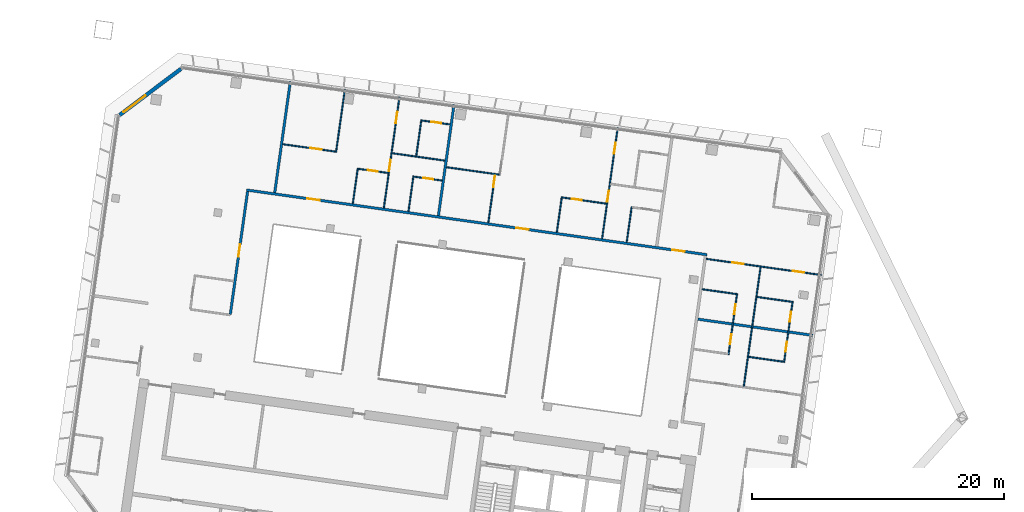
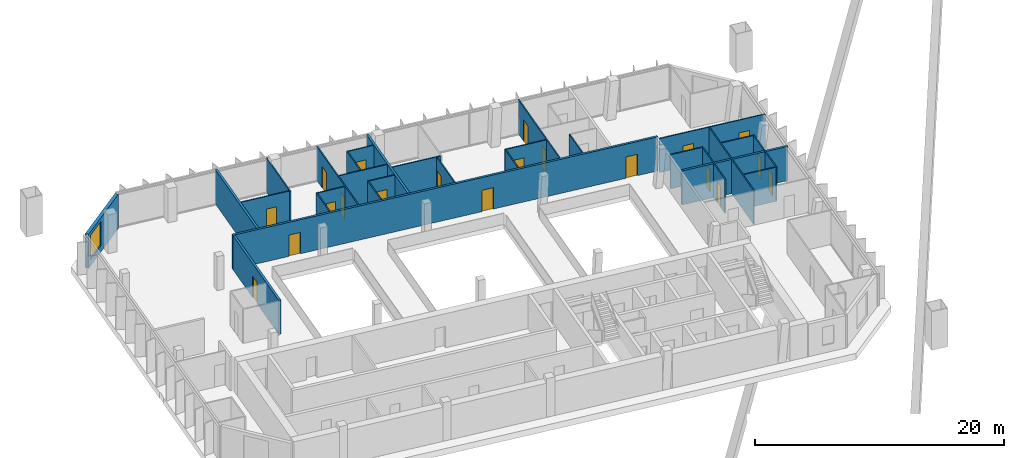
# One storey, part 18 of 26: 29 walls, 20 doors, 1 window, 21 openings.
"""IFC4 building model written with IfcOpenShell, lengths in metres."""

import ifcopenshell
import ifcopenshell.guid

model = None  # the IFC model being written
_history = None  # IfcOwnerHistory: only IFC2X3 demands one
_inside = {}  # id of a spatial element -> (the spatial element, [elements in it])
_under = {}  # id of a project, library or spatial element -> (it, [spatial elements below it])
_declared = {}  # id of a project -> (the project, [libraries it declares])
_typed = {}  # id of a type object -> (the type object, [elements of that type])
_made_of = {}  # id of a material, layer set ... -> (it, [elements and type objects made of it])


def new_model(schema):
    """Start an empty IFC model of exactly this schema.

    Asked for "IFC4X3", IfcOpenShell would pick the latest addendum, in which some entities
    have other attributes; the version numbers below select the first issue.
    IFC2X3 requires an IfcOwnerHistory on every rooted entity: one is made here for all.
    """
    global model, _history
    if schema == "IFC4X3":
        model = ifcopenshell.file(schema_version=(4, 3, 0, 0))
    else:
        model = ifcopenshell.file(schema=schema)
    _inside.clear()
    _under.clear()
    _declared.clear()
    _typed.clear()
    _made_of.clear()
    _history = None
    if model.schema == "IFC2X3":
        org = make("IfcOrganization", Name="unknown")
        user = make(
            "IfcPersonAndOrganization",
            ThePerson=make("IfcPerson", FamilyName="unknown"),
            TheOrganization=org,
        )
        app = make(
            "IfcApplication",
            ApplicationDeveloper=org,
            Version="unknown",
            ApplicationFullName="unknown",
            ApplicationIdentifier="unknown",
        )
        _history = make(
            "IfcOwnerHistory",
            OwningUser=user,
            OwningApplication=app,
            ChangeAction="ADDED",
            CreationDate=0,
        )
    return model


def make(cls, **values):
    """One entity of the class cls with the attributes given. An attribute that is None is left unset."""
    return model.create_entity(
        cls, **{name: value for name, value in values.items() if value is not None}
    )


def rooted(cls, **values):
    """An entity with a GlobalId (a new one), such as an element, a storey or a relation."""
    return make(cls, GlobalId=ifcopenshell.guid.new(), OwnerHistory=_history, **values)


def si_unit(unit_type, name, prefix=None):
    """IfcSIUnit, for example si_unit("LENGTHUNIT", "METRE", prefix="MILLI")."""
    return make("IfcSIUnit", UnitType=unit_type, Prefix=prefix, Name=name)


def assignment(units):
    """IfcUnitAssignment: the units of a project."""
    return None if units is None else make("IfcUnitAssignment", Units=units)


def point(xyz):
    """IfcCartesianPoint."""
    return None if xyz is None else make("IfcCartesianPoint", Coordinates=xyz)


def direction(xyz):
    """IfcDirection."""
    return None if xyz is None else make("IfcDirection", DirectionRatios=xyz)


def frame(location, z_axis=None, x_axis=None):
    """IfcAxis2Placement3D, a coordinate frame: its origin and axes. An axis left out is left unset."""
    return make(
        "IfcAxis2Placement3D",
        Location=point(location),
        Axis=direction(z_axis),
        RefDirection=direction(x_axis),
    )


def frame_2d(location, x_axis=None):
    """IfcAxis2Placement2D, a coordinate frame in the plane: its origin and x axis."""
    return make(
        "IfcAxis2Placement2D", Location=point(location), RefDirection=direction(x_axis)
    )


def origin():
    """The frame at (0, 0, 0) with its axes left unset."""
    return frame((0.0, 0.0, 0.0))


def place(relative_to, where):
    """IfcLocalPlacement: puts the frame where relative to a parent placement (None: the world)."""
    return make(
        "IfcLocalPlacement", PlacementRelTo=relative_to, RelativePlacement=where
    )


def context(
    kind, dimensions, precision=None, world=None, true_north=None, identifier=None
):
    """IfcGeometricRepresentationContext, for example the 3D "Model" context."""
    return make(
        "IfcGeometricRepresentationContext",
        ContextIdentifier=identifier,
        ContextType=kind,
        CoordinateSpaceDimension=dimensions,
        Precision=precision,
        WorldCoordinateSystem=world,
        TrueNorth=true_north,
    )


def subcontext(parent, identifier, kind, view, scale=None):
    """IfcGeometricRepresentationSubContext, for example "Body" below "Model"."""
    return make(
        "IfcGeometricRepresentationSubContext",
        ContextIdentifier=identifier,
        ContextType=kind,
        ParentContext=parent,
        TargetScale=scale,
        TargetView=view,
    )


def project(units=None, contexts=None):
    """IfcProject with its units and contexts."""
    return rooted(
        "IfcProject",
        Name="project",
        RepresentationContexts=contexts,
        UnitsInContext=assignment(units),
    )


def spatial(cls, under=None, at=None, **own):
    """A site, building, storey or space (cls), placed at a placement, below another one or the project."""
    s = rooted(cls, ObjectPlacement=at, **own)
    if under is not None:
        _under.setdefault(under.id(), (under, []))[1].append(s)
    return s


def profile(cls, at=None, kind="AREA", **sizes):
    """A parametric profile (cls). Its sizes go by their IFC names, for example OverallWidth=200.0."""
    return make(cls, ProfileType=kind, Position=at, **sizes)


def rectangle(**sizes):
    """IfcRectangleProfileDef."""
    return profile("IfcRectangleProfileDef", **sizes)


def extrude(swept, where, along, depth):
    """IfcExtrudedAreaSolid: the profile swept, set in the frame where, extruded along a direction by depth."""
    return make(
        "IfcExtrudedAreaSolid",
        SweptArea=swept,
        Position=where,
        ExtrudedDirection=direction(along),
        Depth=depth,
    )


def shape(context_of_items, identifier, shape_type, items):
    """IfcShapeRepresentation: the items that make up one representation, for example the "Body"."""
    return make(
        "IfcShapeRepresentation",
        ContextOfItems=context_of_items,
        RepresentationIdentifier=identifier,
        RepresentationType=shape_type,
        Items=items,
    )


def material(Name=None, Category=None):
    """IfcMaterial."""
    return make("IfcMaterial", Name=Name, Category=Category)


def layer(
    of_material, thickness, ventilated=None, Name=None, Category=None, Priority=None
):
    """IfcMaterialLayer: one layer of a wall or slab, of a material (None: an air gap)."""
    return make(
        "IfcMaterialLayer",
        Material=of_material,
        LayerThickness=thickness,
        IsVentilated=ventilated,
        Name=Name,
        Category=Category,
        Priority=Priority,
    )


def layer_set(layers, Name=None):
    """IfcMaterialLayerSet."""
    return make("IfcMaterialLayerSet", MaterialLayers=layers, LayerSetName=Name)


def made_of(thing, what):
    """Note that an element or type object is made of a material, layer set ...; save() writes the relation."""
    if what is not None:
        _made_of.setdefault(what.id(), (what, []))[1].append(thing)
    return thing


def type_object(cls, material=None, **own):
    """A type object (cls), such as IfcWallType, which elements share."""
    return made_of(rooted(cls, **own), material)


def element(
    cls,
    number,
    at=None,
    inside=None,
    cuts=None,
    type_object=None,
    material=None,
    context=None,
    identifier="Body",
    shape_type=None,
    held_by="IfcProductDefinitionShape",
    body=None,
    shapes=None,
    **own,
):
    """One element of the class cls, such as IfcWall. Its Tag is "e" and its number.

    at: its placement. inside: the storey or other place that contains it. cuts: it is an
    opening in that element (IfcRelVoidsElement). A single representation is given by context,
    identifier, shape_type and body (its items); several are given by shapes. held_by: the class
    of the entity that holds the representations. save() writes the other relations.
    """
    e = rooted(cls, Tag="e%d" % number, ObjectPlacement=at, **own)
    if body is not None:
        shapes = [shape(context, identifier, shape_type, body)]
    if shapes is not None:
        e.Representation = make(held_by, Representations=shapes)
    if inside is not None:
        _inside.setdefault(inside.id(), (inside, []))[1].append(e)
    if cuts is not None:
        rooted(
            "IfcRelVoidsElement", RelatingBuildingElement=cuts, RelatedOpeningElement=e
        )
    if type_object is not None:
        _typed.setdefault(type_object.id(), (type_object, []))[1].append(e)
    return made_of(e, material)


def fill(opening, filler):
    """IfcRelFillsElement: the door or window that sits in an opening."""
    return rooted(
        "IfcRelFillsElement",
        RelatingOpeningElement=opening,
        RelatedBuildingElement=filler,
    )


def aggregate(whole, parts):
    """IfcRelAggregates: a whole, such as a stair, and the parts it consists of."""
    return rooted("IfcRelAggregates", RelatingObject=whole, RelatedObjects=parts)


def save(model, path):
    """Write the relations noted so far, then the file.

    IfcRelAggregates (storeys below a building ...), IfcRelContainedInSpatialStructure (elements
    in a storey), IfcRelDefinesByType, IfcRelAssociatesMaterial and IfcRelDeclares: one each for
    every whole, place, type object, material and project.
    """
    for whole, parts in _under.values():
        aggregate(whole, parts)
    for where, things in _inside.values():
        rooted(
            "IfcRelContainedInSpatialStructure",
            RelatedElements=things,
            RelatingStructure=where,
        )
    for kind, things in _typed.values():
        rooted("IfcRelDefinesByType", RelatedObjects=things, RelatingType=kind)
    for what, things in _made_of.values():
        rooted("IfcRelAssociatesMaterial", RelatedObjects=things, RelatingMaterial=what)
    for by, libraries in _declared.values():
        rooted("IfcRelDeclares", RelatingContext=by, RelatedDefinitions=libraries)
    model.write(path)


model = new_model("IFC4")

# Units and contexts
model_context = context("Model", 3, precision=1e-05, world=origin(), true_north=direction((0.0, 1.0)))
body_context = subcontext(model_context, "Body", "Model", "MODEL_VIEW")
ifc_project = project(units=[si_unit("LENGTHUNIT", "METRE"), si_unit("AREAUNIT", "SQUARE_METRE"), si_unit("VOLUMEUNIT", "CUBIC_METRE"), si_unit("PLANEANGLEUNIT", "RADIAN"), si_unit("MASSUNIT", "GRAM", prefix="KILO")], contexts=[model_context])

# Site, building, storey
site_placement = place(None, origin())
site = spatial("IfcSite", under=ifc_project, at=site_placement, CompositionType="ELEMENT")
building_placement = place(site_placement, origin())
building = spatial("IfcBuilding", under=site, at=building_placement, Name="Mirante Cascada Hotel Towers", CompositionType="ELEMENT")
storey_placement = place(building_placement, frame((0.0, 0.0, 203.0)))
storey = spatial("IfcBuildingStorey", under=building, at=storey_placement, Name="L48", CompositionType="ELEMENT", Elevation=203.0)

# Wall
ifc_material_1 = material(Name="Fire-rated plasterboard on metal studs")
ifc_layer_1 = layer(ifc_material_1, 0.2)
ifc_layer_set_1 = layer_set([ifc_layer_1], Name="Compartment wall 200 EI 120")
wall_type_1 = type_object("IfcWallType", Name="Compartment wall 200 EI 120", PredefinedType="PARTITIONING", material=ifc_layer_set_1)
wall_1_placement = place(storey_placement, frame((-35.368, 3.6352, 0.0), z_axis=(0.0, 0.0, 1.0), x_axis=(0.9902681, -0.1391729, 0.0)))
element("IfcWall", 1, at=wall_1_placement, inside=storey, type_object=wall_type_1, Name="Wall 1-L48-14", PredefinedType="PARTITIONING", context=body_context, shape_type="SweptSolid", body=[
    extrude(rectangle(XDim=9.2044, YDim=0.2, at=frame_2d((4.6022, 0.0))), origin(), (0.0, 0.0, 1.0), 3.35),
])

# Wall, openings, doors
wall_2_placement = place(storey_placement, frame((-71.1898, 13.8871, 0.0), z_axis=(0.0, 0.0, 1.0), x_axis=(0.990268, -0.1391734, 0.0)))
wall_2 = element("IfcWall", 2, at=wall_2_placement, inside=storey, type_object=wall_type_1, Name="Wall 1-L48-18", PredefinedType="PARTITIONING", context=body_context, shape_type="SweptSolid", body=[
    extrude(rectangle(XDim=36.9, YDim=0.2, at=frame_2d((18.45, 0.0))), origin(), (0.0, 0.0, 1.0), 3.35),
])
opening_1_placement = place(wall_2_placement, frame((34.129, 0.0, 0.0)))
opening_1 = element("IfcOpeningElement", 3, at=opening_1_placement, cuts=wall_2, Name="Opening D1-L48-06", PredefinedType="OPENING", context=body_context, shape_type="SweptSolid", body=[
    extrude(rectangle(XDim=1.0, YDim=2.1, at=frame_2d((0.5, 1.05))), frame((0.0, 0.1, 0.0), z_axis=(0.0, -1.0, 0.0), x_axis=(1.0, 0.0, 0.0)), (0.0, 0.0, 1.0), 0.2),
])
opening_2_placement = place(wall_2_placement, frame((21.6119, 0.0, 0.0)))
opening_2 = element("IfcOpeningElement", 4, at=opening_2_placement, cuts=wall_2, Name="Opening D1-L48-07", PredefinedType="OPENING", context=body_context, shape_type="SweptSolid", body=[
    extrude(rectangle(XDim=1.0, YDim=2.1, at=frame_2d((0.5, 1.05))), frame((0.0, 0.1, 0.0), z_axis=(0.0, -1.0, 0.0), x_axis=(1.0, 0.0, 0.0)), (0.0, 0.0, 1.0), 0.2),
])
opening_3_placement = place(wall_2_placement, frame((4.8756, 0.0, 0.0)))
opening_3 = element("IfcOpeningElement", 5, at=opening_3_placement, cuts=wall_2, Name="Opening D1-L48-08", PredefinedType="OPENING", context=body_context, shape_type="SweptSolid", body=[
    extrude(rectangle(XDim=1.0, YDim=2.1, at=frame_2d((0.5, 1.05))), frame((0.0, 0.1, 0.0), z_axis=(0.0, -1.0, 0.0), x_axis=(1.0, 0.0, 0.0)), (0.0, 0.0, 1.0), 0.2),
])
ifc_material_2 = material(Name="Fire-rated timber door leaf", Category="wood")
door_type_1 = type_object("IfcDoorType", Name="Entrance door DG1 1000x2100 EI 60", OperationType="SINGLE_SWING_LEFT", PredefinedType="DOOR", material=ifc_material_2)
door_1_placement = place(opening_1_placement, origin())
door_1 = element("IfcDoor", 6, at=door_1_placement, inside=storey, type_object=door_type_1, Name="Door D1-L48-06", OperationType="SINGLE_SWING_LEFT", OverallHeight=2.1, OverallWidth=1.0, PredefinedType="DOOR", context=body_context, shape_type="SweptSolid", body=[
    extrude(rectangle(XDim=1.0, YDim=2.1, at=frame_2d((0.5, 1.05))), frame((0.0, 0.025, 0.0), z_axis=(0.0, -1.0, 0.0), x_axis=(1.0, 0.0, 0.0)), (0.0, 0.0, 1.0), 0.05),
])
fill(opening_1, door_1)
door_2_placement = place(opening_2_placement, origin())
door_2 = element("IfcDoor", 7, at=door_2_placement, inside=storey, type_object=door_type_1, Name="Door D1-L48-07", OperationType="SINGLE_SWING_LEFT", OverallHeight=2.1, OverallWidth=1.0, PredefinedType="DOOR", context=body_context, shape_type="SweptSolid", body=[
    extrude(rectangle(XDim=1.0, YDim=2.1, at=frame_2d((0.5, 1.05))), frame((0.0, 0.025, 0.0), z_axis=(0.0, -1.0, 0.0), x_axis=(1.0, 0.0, 0.0)), (0.0, 0.0, 1.0), 0.05),
])
fill(opening_2, door_2)
door_3_placement = place(opening_3_placement, origin())
door_3 = element("IfcDoor", 8, at=door_3_placement, inside=storey, type_object=door_type_1, Name="Door D1-L48-08", OperationType="SINGLE_SWING_LEFT", OverallHeight=2.1, OverallWidth=1.0, PredefinedType="DOOR", context=body_context, shape_type="SweptSolid", body=[
    extrude(rectangle(XDim=1.0, YDim=2.1, at=frame_2d((0.5, 1.05))), frame((0.0, 0.025, 0.0), z_axis=(0.0, -1.0, 0.0), x_axis=(1.0, 0.0, 0.0)), (0.0, 0.0, 1.0), 0.05),
])
fill(opening_3, door_3)

# Walls
for number, where, z_axis, x_axis, name in (
    (9, (-54.7212, 20.6611, 0.0), (0.0, 0.0, 1.0), (-0.1391684, -0.9902687, 0.0), "Wall 1-L48-46"),
    (10, (-67.7129, 22.4869, 0.0), (0.0, 0.0, 1.0), (-0.1391684, -0.9902687, 0.0), "Wall 1-L48-52"),
):
    element("IfcWall", number, at=place(storey_placement, frame(where, z_axis=z_axis, x_axis=x_axis)), inside=storey, type_object=wall_type_1, Name=name, PredefinedType="PARTITIONING", context=body_context, shape_type="SweptSolid", body=[
        extrude(rectangle(XDim=8.9, YDim=0.2, at=frame_2d((4.45, 0.0))), origin(), (0.0, 0.0, 1.0), 3.35),
    ])

# Wall, opening, door
wall_3_placement = place(storey_placement, frame((-72.4755, 4.02, 0.0), z_axis=(0.0, 0.0, 1.0), x_axis=(0.1391668, 0.990269, 0.0)))
wall_3 = element("IfcWall", 11, at=wall_3_placement, inside=storey, type_object=wall_type_1, Name="Wall 1-L48-53", PredefinedType="PARTITIONING", context=body_context, shape_type="SweptSolid", body=[
    extrude(rectangle(XDim=9.8501, YDim=0.2, at=frame_2d((4.925, 0.0))), origin(), (0.0, 0.0, 1.0), 3.35),
])
opening_4_placement = place(wall_3_placement, frame((4.6, 0.0, 0.0)))
opening_4 = element("IfcOpeningElement", 12, at=opening_4_placement, cuts=wall_3, Name="Opening D1-L48-31", PredefinedType="OPENING", context=body_context, shape_type="SweptSolid", body=[
    extrude(rectangle(XDim=1.0, YDim=2.1, at=frame_2d((0.5, 1.05))), frame((0.0, 0.1, 0.0), z_axis=(0.0, -1.0, 0.0), x_axis=(1.0, 0.0, 0.0)), (0.0, 0.0, 1.0), 0.2),
])
door_4_placement = place(opening_4_placement, origin())
door_4 = element("IfcDoor", 13, at=door_4_placement, inside=storey, type_object=door_type_1, Name="Door D1-L48-31", OperationType="SINGLE_SWING_LEFT", OverallHeight=2.1, OverallWidth=1.0, PredefinedType="DOOR", context=body_context, shape_type="SweptSolid", body=[
    extrude(rectangle(XDim=1.0, YDim=2.1, at=frame_2d((0.5, 1.05))), frame((0.0, 0.025, 0.0), z_axis=(0.0, -1.0, 0.0), x_axis=(1.0, 0.0, 0.0)), (0.0, 0.0, 1.0), 0.05),
])
fill(opening_4, door_4)

# Walls
ifc_material_3 = material(Name="Plasterboard on metal studs")
ifc_layer_2 = layer(ifc_material_3, 0.1)
ifc_layer_set_2 = layer_set([ifc_layer_2], Name="Partition 100")
wall_type_2 = type_object("IfcWallType", Name="Partition 100", PredefinedType="PARTITIONING", material=ifc_layer_set_2)
wall_4_placement = place(storey_placement, frame((-28.5699, 0.2562, 0.0), z_axis=(0.0, 0.0, 1.0), x_axis=(-0.990267, 0.139181, 0.0)))
element("IfcWall", 14, at=wall_4_placement, inside=storey, type_object=wall_type_2, Name="Wall 1-L48-11", PredefinedType="PARTITIONING", context=body_context, shape_type="SweptSolid", body=[
    extrude(rectangle(XDim=2.8, YDim=0.1, at=frame_2d((1.4, 0.0))), origin(), (0.0, 0.0, 1.0), 3.35),
])
wall_5_placement = place(storey_placement, frame((-27.9018, 5.0095, 0.0), z_axis=(0.0, 0.0, 1.0), x_axis=(-0.9902677, 0.139176, 0.0)))
element("IfcWall", 15, at=wall_5_placement, inside=storey, type_object=wall_type_2, Name="Wall 1-L48-15", PredefinedType="PARTITIONING", context=body_context, shape_type="SweptSolid", body=[
    extrude(rectangle(XDim=2.8001, YDim=0.1, at=frame_2d((1.4, 0.0))), origin(), (0.0, 0.0, 1.0), 3.35),
])
wall_6_placement = place(storey_placement, frame((-35.034, 6.0119, 0.0), z_axis=(0.0, 0.0, 1.0), x_axis=(0.9902648, -0.1391963, 0.0)))
element("IfcWall", 16, at=wall_6_placement, inside=storey, type_object=wall_type_2, Name="Wall 1-L48-16", PredefinedType="PARTITIONING", context=body_context, shape_type="SweptSolid", body=[
    extrude(rectangle(XDim=2.7501, YDim=0.1, at=frame_2d((1.3751, 0.0))), origin(), (0.0, 0.0, 1.0), 3.35),
])

# Wall, openings, doors
wall_7_placement = place(storey_placement, frame((-25.5806, 7.1406, 0.0), z_axis=(0.0, 0.0, 1.0), x_axis=(-0.9902679, 0.1391744, 0.0)))
wall_7 = element("IfcWall", 17, at=wall_7_placement, inside=storey, type_object=wall_type_2, Name="Wall 1-L48-17", PredefinedType="PARTITIONING", context=body_context, shape_type="SweptSolid", body=[
    extrude(rectangle(XDim=9.2043, YDim=0.1, at=frame_2d((4.6022, 0.0))), origin(), (0.0, 0.0, 1.0), 3.35),
])
opening_5_placement = place(wall_7_placement, frame((1.3761, 0.0, 0.0)))
opening_5 = element("IfcOpeningElement", 18, at=opening_5_placement, cuts=wall_7, Name="Opening D1-L48-04", PredefinedType="OPENING", context=body_context, shape_type="SweptSolid", body=[
    extrude(rectangle(XDim=0.9, YDim=2.1, at=frame_2d((0.45, 1.05))), frame((0.0, 0.05, 0.0), z_axis=(0.0, -1.0, 0.0), x_axis=(1.0, 0.0, 0.0)), (0.0, 0.0, 1.0), 0.1),
])
opening_6_placement = place(wall_7_placement, frame((6.2282, 0.0, 0.0)))
opening_6 = element("IfcOpeningElement", 19, at=opening_6_placement, cuts=wall_7, Name="Opening D1-L48-05", PredefinedType="OPENING", context=body_context, shape_type="SweptSolid", body=[
    extrude(rectangle(XDim=0.9, YDim=2.1, at=frame_2d((0.45, 1.05))), frame((0.0, 0.05, 0.0), z_axis=(0.0, -1.0, 0.0), x_axis=(1.0, 0.0, 0.0)), (0.0, 0.0, 1.0), 0.1),
])
ifc_material_4 = material(Name="Timber door leaf", Category="wood")
door_type_2 = type_object("IfcDoorType", Name="Room door DG3 900x2100", OperationType="SINGLE_SWING_LEFT", PredefinedType="DOOR", material=ifc_material_4)
door_5_placement = place(opening_5_placement, frame((0.9, 0.0, 0.0), z_axis=(0.0, 0.0, 1.0), x_axis=(-1.0, 0.0, 0.0)))
door_5 = element("IfcDoor", 20, at=door_5_placement, inside=storey, type_object=door_type_2, Name="Door D1-L48-04", OperationType="SINGLE_SWING_RIGHT", OverallHeight=2.1, OverallWidth=0.9, PredefinedType="DOOR", context=body_context, shape_type="SweptSolid", body=[
    extrude(rectangle(XDim=0.9, YDim=2.1, at=frame_2d((0.45, 1.05))), frame((0.0, 0.025, 0.0), z_axis=(0.0, -1.0, 0.0), x_axis=(1.0, 0.0, 0.0)), (0.0, 0.0, 1.0), 0.05),
])
fill(opening_5, door_5)
door_6_placement = place(opening_6_placement, frame((0.9, 0.0, 0.0), z_axis=(0.0, 0.0, 1.0), x_axis=(-1.0, 0.0, 0.0)))
door_6 = element("IfcDoor", 21, at=door_6_placement, inside=storey, type_object=door_type_2, Name="Door D1-L48-05", OperationType="SINGLE_SWING_RIGHT", OverallHeight=2.1, OverallWidth=0.9, PredefinedType="DOOR", context=body_context, shape_type="SweptSolid", body=[
    extrude(rectangle(XDim=0.9, YDim=2.1, at=frame_2d((0.45, 1.05))), frame((0.0, 0.025, 0.0), z_axis=(0.0, -1.0, 0.0), x_axis=(1.0, 0.0, 0.0)), (0.0, 0.0, 1.0), 0.05),
])
fill(opening_6, door_6)

# Wall, opening, door
wall_8_placement = place(storey_placement, frame((-46.2195, 13.3063, 0.0), z_axis=(0.0, 0.0, 1.0), x_axis=(0.9902668, -0.1391822, 0.0)))
wall_8 = element("IfcWall", 22, at=wall_8_placement, inside=storey, type_object=wall_type_2, Name="Wall 1-L48-20", PredefinedType="PARTITIONING", context=body_context, shape_type="SweptSolid", body=[
    extrude(rectangle(XDim=3.6269, YDim=0.1, at=frame_2d((1.8134, 0.0))), origin(), (0.0, 0.0, 1.0), 3.35),
])
opening_7_placement = place(wall_8_placement, frame((0.85, 0.0, 0.0)))
opening_7 = element("IfcOpeningElement", 23, at=opening_7_placement, cuts=wall_8, Name="Opening D1-L48-10", PredefinedType="OPENING", context=body_context, shape_type="SweptSolid", body=[
    extrude(rectangle(XDim=0.8, YDim=2.1, at=frame_2d((0.4, 1.05))), frame((0.0, 0.05, 0.0), z_axis=(0.0, -1.0, 0.0), x_axis=(1.0, 0.0, 0.0)), (0.0, 0.0, 1.0), 0.1),
])
ifc_material_5 = material(Name="Timber door leaf", Category="wood")
door_type_3 = type_object("IfcDoorType", Name="Bathroom door DG4 800x2100", OperationType="SINGLE_SWING_LEFT", PredefinedType="DOOR", material=ifc_material_5)
door_7_placement = place(opening_7_placement, origin())
door_7 = element("IfcDoor", 24, at=door_7_placement, inside=storey, type_object=door_type_3, Name="Door D1-L48-10", OperationType="SINGLE_SWING_LEFT", OverallHeight=2.1, OverallWidth=0.8, PredefinedType="DOOR", context=body_context, shape_type="SweptSolid", body=[
    extrude(rectangle(XDim=0.8, YDim=2.1, at=frame_2d((0.4, 1.05))), frame((0.0, 0.025, 0.0), z_axis=(0.0, -1.0, 0.0), x_axis=(1.0, 0.0, 0.0)), (0.0, 0.0, 1.0), 0.05),
])
fill(opening_7, door_7)

wall_9_placement = place(storey_placement, frame((-55.6692, 14.6343, 0.0), z_axis=(0.0, 0.0, 1.0), x_axis=(-0.9902643, 0.1391997, 0.0)))
wall_9 = element("IfcWall", 25, at=wall_9_placement, inside=storey, type_object=wall_type_2, Name="Wall 1-L48-21", PredefinedType="PARTITIONING", context=body_context, shape_type="SweptSolid", body=[
    extrude(rectangle(XDim=2.25, YDim=0.1, at=frame_2d((1.125, 0.0))), origin(), (0.0, 0.0, 1.0), 3.35),
])
opening_8_placement = place(wall_9_placement, frame((0.7, 0.0, 0.0)))
opening_8 = element("IfcOpeningElement", 26, at=opening_8_placement, cuts=wall_9, Name="Opening D1-L48-11", PredefinedType="OPENING", context=body_context, shape_type="SweptSolid", body=[
    extrude(rectangle(XDim=0.8, YDim=2.1, at=frame_2d((0.4, 1.05))), frame((0.0, 0.05, 0.0), z_axis=(0.0, -1.0, 0.0), x_axis=(1.0, 0.0, 0.0)), (0.0, 0.0, 1.0), 0.1),
])
door_8_placement = place(opening_8_placement, origin())
door_8 = element("IfcDoor", 27, at=door_8_placement, inside=storey, type_object=door_type_3, Name="Door D1-L48-11", OperationType="SINGLE_SWING_LEFT", OverallHeight=2.1, OverallWidth=0.8, PredefinedType="DOOR", context=body_context, shape_type="SweptSolid", body=[
    extrude(rectangle(XDim=0.8, YDim=2.1, at=frame_2d((0.4, 1.05))), frame((0.0, 0.025, 0.0), z_axis=(0.0, -1.0, 0.0), x_axis=(1.0, 0.0, 0.0)), (0.0, 0.0, 1.0), 0.05),
])
fill(opening_8, door_8)

wall_10_placement = place(storey_placement, frame((-62.3145, 15.5683, 0.0), z_axis=(0.0, 0.0, 1.0), x_axis=(0.990267, -0.139181, 0.0)))
wall_10 = element("IfcWall", 28, at=wall_10_placement, inside=storey, type_object=wall_type_2, Name="Wall 1-L48-22", PredefinedType="PARTITIONING", context=body_context, shape_type="SweptSolid", body=[
    extrude(rectangle(XDim=2.3875, YDim=0.1, at=frame_2d((1.1938, 0.0))), origin(), (0.0, 0.0, 1.0), 3.35),
])
opening_9_placement = place(wall_10_placement, frame((0.75, 0.0, 0.0)))
opening_9 = element("IfcOpeningElement", 29, at=opening_9_placement, cuts=wall_10, Name="Opening D1-L48-12", PredefinedType="OPENING", context=body_context, shape_type="SweptSolid", body=[
    extrude(rectangle(XDim=0.8, YDim=2.1, at=frame_2d((0.4, 1.05))), frame((0.0, 0.05, 0.0), z_axis=(0.0, -1.0, 0.0), x_axis=(1.0, 0.0, 0.0)), (0.0, 0.0, 1.0), 0.1),
])
door_9_placement = place(opening_9_placement, origin())
door_9 = element("IfcDoor", 30, at=door_9_placement, inside=storey, type_object=door_type_3, Name="Door D1-L48-12", OperationType="SINGLE_SWING_LEFT", OverallHeight=2.1, OverallWidth=0.8, PredefinedType="DOOR", context=body_context, shape_type="SweptSolid", body=[
    extrude(rectangle(XDim=0.8, YDim=2.1, at=frame_2d((0.4, 1.05))), frame((0.0, 0.025, 0.0), z_axis=(0.0, -1.0, 0.0), x_axis=(1.0, 0.0, 0.0)), (0.0, 0.0, 1.0), 0.05),
])
fill(opening_9, door_9)

# Wall
wall_11_placement = place(storey_placement, frame((-51.136, 15.1081, 0.0), z_axis=(0.0, 0.0, 1.0), x_axis=(-0.9902694, 0.1391634, 0.0)))
element("IfcWall", 31, at=wall_11_placement, inside=storey, type_object=wall_type_2, Name="Wall 1-L48-23", PredefinedType="PARTITIONING", context=body_context, shape_type="SweptSolid", body=[
    extrude(rectangle(XDim=4.2231, YDim=0.1, at=frame_2d((2.1115, 0.0))), origin(), (0.0, 0.0, 1.0), 3.35),
])

# Wall, opening, door
wall_12_placement = place(storey_placement, frame((-68.3097, 17.5217, 0.0), z_axis=(0.0, 0.0, 1.0), x_axis=(0.9902666, -0.1391834, 0.0)))
wall_12 = element("IfcWall", 32, at=wall_12_placement, inside=storey, type_object=wall_type_2, Name="Wall 1-L48-24", PredefinedType="PARTITIONING", context=body_context, shape_type="SweptSolid", body=[
    extrude(rectangle(XDim=4.2232, YDim=0.1, at=frame_2d((2.1116, 0.0))), origin(), (0.0, 0.0, 1.0), 3.35),
])
opening_10_placement = place(wall_12_placement, frame((2.2, 0.0, 0.0)))
opening_10 = element("IfcOpeningElement", 33, at=opening_10_placement, cuts=wall_12, Name="Opening D1-L48-13", PredefinedType="OPENING", context=body_context, shape_type="SweptSolid", body=[
    extrude(rectangle(XDim=0.9, YDim=2.1, at=frame_2d((0.45, 1.05))), frame((0.0, 0.05, 0.0), z_axis=(0.0, -1.0, 0.0), x_axis=(1.0, 0.0, 0.0)), (0.0, 0.0, 1.0), 0.1),
])
door_10_placement = place(opening_10_placement, origin())
door_10 = element("IfcDoor", 34, at=door_10_placement, inside=storey, type_object=door_type_2, Name="Door D1-L48-13", OperationType="SINGLE_SWING_LEFT", OverallHeight=2.1, OverallWidth=0.9, PredefinedType="DOOR", context=body_context, shape_type="SweptSolid", body=[
    extrude(rectangle(XDim=0.9, YDim=2.1, at=frame_2d((0.45, 1.05))), frame((0.0, 0.025, 0.0), z_axis=(0.0, -1.0, 0.0), x_axis=(1.0, 0.0, 0.0)), (0.0, 0.0, 1.0), 0.05),
])
fill(opening_10, door_10)

# Wall
wall_13_placement = place(storey_placement, frame((-55.4465, 16.2188, 0.0), z_axis=(0.0, 0.0, 1.0), x_axis=(-0.9902694, 0.1391634, 0.0)))
element("IfcWall", 35, at=wall_13_placement, inside=storey, type_object=wall_type_2, Name="Wall 1-L48-27", PredefinedType="PARTITIONING", context=body_context, shape_type="SweptSolid", body=[
    extrude(rectangle(XDim=4.2231, YDim=0.1, at=frame_2d((2.1115, 0.0))), origin(), (0.0, 0.0, 1.0), 3.35),
])

# Wall, opening, door
wall_14_placement = place(storey_placement, frame((-55.0429, 19.0905, 0.0), z_axis=(0.0, 0.0, 1.0), x_axis=(-0.9902643, 0.1391997, 0.0)))
wall_14 = element("IfcWall", 36, at=wall_14_placement, inside=storey, type_object=wall_type_2, Name="Wall 1-L48-29", PredefinedType="PARTITIONING", context=body_context, shape_type="SweptSolid", body=[
    extrude(rectangle(XDim=2.25, YDim=0.1, at=frame_2d((1.125, 0.0))), origin(), (0.0, 0.0, 1.0), 3.35),
])
opening_11_placement = place(wall_14_placement, frame((0.7, 0.0, 0.0)))
opening_11 = element("IfcOpeningElement", 37, at=opening_11_placement, cuts=wall_14, Name="Opening D1-L48-15", PredefinedType="OPENING", context=body_context, shape_type="SweptSolid", body=[
    extrude(rectangle(XDim=0.8, YDim=2.1, at=frame_2d((0.4, 1.05))), frame((0.0, 0.05, 0.0), z_axis=(0.0, -1.0, 0.0), x_axis=(1.0, 0.0, 0.0)), (0.0, 0.0, 1.0), 0.1),
])
door_11_placement = place(opening_11_placement, origin())
door_11 = element("IfcDoor", 38, at=door_11_placement, inside=storey, type_object=door_type_3, Name="Door D1-L48-15", OperationType="SINGLE_SWING_LEFT", OverallHeight=2.1, OverallWidth=0.8, PredefinedType="DOOR", context=body_context, shape_type="SweptSolid", body=[
    extrude(rectangle(XDim=0.8, YDim=2.1, at=frame_2d((0.4, 1.05))), frame((0.0, 0.025, 0.0), z_axis=(0.0, -1.0, 0.0), x_axis=(1.0, 0.0, 0.0)), (0.0, 0.0, 1.0), 0.05),
])
fill(opening_11, door_11)

# Wall, openings, doors
wall_15_placement = place(storey_placement, frame((-27.8454, 5.0521, 0.0), z_axis=(0.0, 0.0, 1.0), x_axis=(-0.1391638, -0.9902694, 0.0)))
wall_15 = element("IfcWall", 39, at=wall_15_placement, inside=storey, type_object=wall_type_2, Name="Wall 1-L48-30", PredefinedType="PARTITIONING", context=body_context, shape_type="SweptSolid", body=[
    extrude(rectangle(XDim=4.9, YDim=0.1, at=frame_2d((2.45, 0.0))), origin(), (0.0, 0.0, 1.0), 3.35),
])
opening_12_placement = place(wall_15_placement, frame((3.25, 0.0, 0.0)))
opening_12 = element("IfcOpeningElement", 40, at=opening_12_placement, cuts=wall_15, Name="Opening D1-L48-16", PredefinedType="OPENING", context=body_context, shape_type="SweptSolid", body=[
    extrude(rectangle(XDim=0.8, YDim=2.1, at=frame_2d((0.4, 1.05))), frame((0.0, 0.05, 0.0), z_axis=(0.0, -1.0, 0.0), x_axis=(1.0, 0.0, 0.0)), (0.0, 0.0, 1.0), 0.1),
])
opening_13_placement = place(wall_15_placement, frame((0.85, 0.0, 0.0)))
opening_13 = element("IfcOpeningElement", 41, at=opening_13_placement, cuts=wall_15, Name="Opening D1-L48-17", PredefinedType="OPENING", context=body_context, shape_type="SweptSolid", body=[
    extrude(rectangle(XDim=0.8, YDim=2.1, at=frame_2d((0.4, 1.05))), frame((0.0, 0.05, 0.0), z_axis=(0.0, -1.0, 0.0), x_axis=(1.0, 0.0, 0.0)), (0.0, 0.0, 1.0), 0.1),
])
door_12_placement = place(opening_12_placement, frame((0.8, 0.0, 0.0), z_axis=(0.0, 0.0, 1.0), x_axis=(-1.0, 0.0, 0.0)))
door_12 = element("IfcDoor", 42, at=door_12_placement, inside=storey, type_object=door_type_3, Name="Door D1-L48-16", OperationType="SINGLE_SWING_RIGHT", OverallHeight=2.1, OverallWidth=0.8, PredefinedType="DOOR", context=body_context, shape_type="SweptSolid", body=[
    extrude(rectangle(XDim=0.8, YDim=2.1, at=frame_2d((0.4, 1.05))), frame((0.0, 0.025, 0.0), z_axis=(0.0, -1.0, 0.0), x_axis=(1.0, 0.0, 0.0)), (0.0, 0.0, 1.0), 0.05),
])
fill(opening_12, door_12)
door_13_placement = place(opening_13_placement, frame((0.8, 0.0, 0.0), z_axis=(0.0, 0.0, 1.0), x_axis=(-1.0, 0.0, 0.0)))
door_13 = element("IfcDoor", 43, at=door_13_placement, inside=storey, type_object=door_type_3, Name="Door D1-L48-17", OperationType="SINGLE_SWING_RIGHT", OverallHeight=2.1, OverallWidth=0.8, PredefinedType="DOOR", context=body_context, shape_type="SweptSolid", body=[
    extrude(rectangle(XDim=0.8, YDim=2.1, at=frame_2d((0.4, 1.05))), frame((0.0, 0.025, 0.0), z_axis=(0.0, -1.0, 0.0), x_axis=(1.0, 0.0, 0.0)), (0.0, 0.0, 1.0), 0.05),
])
fill(opening_13, door_13)

# Wall
wall_16_placement = place(storey_placement, frame((-31.7238, -1.7072, 0.0), z_axis=(0.0, 0.0, 1.0), x_axis=(0.1391703, 0.9902685, 0.0)))
element("IfcWall", 44, at=wall_16_placement, inside=storey, type_object=wall_type_2, Name="Wall 1-L48-35", PredefinedType="PARTITIONING", context=body_context, shape_type="SweptSolid", body=[
    extrude(rectangle(XDim=9.5667, YDim=0.1, at=frame_2d((4.7834, 0.0))), origin(), (0.0, 0.0, 1.0), 3.35),
])

# Wall, openings, doors
wall_17_placement = place(storey_placement, frame((-32.2542, 5.6717, 0.0), z_axis=(0.0, 0.0, 1.0), x_axis=(-0.1391838, -0.9902666, 0.0)))
wall_17 = element("IfcWall", 45, at=wall_17_placement, inside=storey, type_object=wall_type_2, Name="Wall 1-L48-36", PredefinedType="PARTITIONING", context=body_context, shape_type="SweptSolid", body=[
    extrude(rectangle(XDim=4.9, YDim=0.1, at=frame_2d((2.45, 0.0))), origin(), (0.0, 0.0, 1.0), 3.35),
])
opening_14_placement = place(wall_17_placement, frame((3.25, 0.0, 0.0)))
opening_14 = element("IfcOpeningElement", 46, at=opening_14_placement, cuts=wall_17, Name="Opening D1-L48-22", PredefinedType="OPENING", context=body_context, shape_type="SweptSolid", body=[
    extrude(rectangle(XDim=0.8, YDim=2.1, at=frame_2d((0.4, 1.05))), frame((0.0, 0.05, 0.0), z_axis=(0.0, -1.0, 0.0), x_axis=(1.0, 0.0, 0.0)), (0.0, 0.0, 1.0), 0.1),
])
opening_15_placement = place(wall_17_placement, frame((0.85, 0.0, 0.0)))
opening_15 = element("IfcOpeningElement", 47, at=opening_15_placement, cuts=wall_17, Name="Opening D1-L48-23", PredefinedType="OPENING", context=body_context, shape_type="SweptSolid", body=[
    extrude(rectangle(XDim=0.8, YDim=2.1, at=frame_2d((0.4, 1.05))), frame((0.0, 0.05, 0.0), z_axis=(0.0, -1.0, 0.0), x_axis=(1.0, 0.0, 0.0)), (0.0, 0.0, 1.0), 0.1),
])
door_14_placement = place(opening_14_placement, frame((0.8, 0.0, 0.0), z_axis=(0.0, 0.0, 1.0), x_axis=(-1.0, 0.0, 0.0)))
door_14 = element("IfcDoor", 48, at=door_14_placement, inside=storey, type_object=door_type_3, Name="Door D1-L48-22", OperationType="SINGLE_SWING_RIGHT", OverallHeight=2.1, OverallWidth=0.8, PredefinedType="DOOR", context=body_context, shape_type="SweptSolid", body=[
    extrude(rectangle(XDim=0.8, YDim=2.1, at=frame_2d((0.4, 1.05))), frame((0.0, 0.025, 0.0), z_axis=(0.0, -1.0, 0.0), x_axis=(1.0, 0.0, 0.0)), (0.0, 0.0, 1.0), 0.05),
])
fill(opening_14, door_14)
door_15_placement = place(opening_15_placement, frame((0.8, 0.0, 0.0), z_axis=(0.0, 0.0, 1.0), x_axis=(-1.0, 0.0, 0.0)))
door_15 = element("IfcDoor", 49, at=door_15_placement, inside=storey, type_object=door_type_3, Name="Door D1-L48-23", OperationType="SINGLE_SWING_RIGHT", OverallHeight=2.1, OverallWidth=0.8, PredefinedType="DOOR", context=body_context, shape_type="SweptSolid", body=[
    extrude(rectangle(XDim=0.8, YDim=2.1, at=frame_2d((0.4, 1.05))), frame((0.0, 0.025, 0.0), z_axis=(0.0, -1.0, 0.0), x_axis=(1.0, 0.0, 0.0)), (0.0, 0.0, 1.0), 0.05),
])
fill(opening_15, door_15)

# Wall
wall_18_placement = place(storey_placement, frame((-40.6176, 12.5695, 0.0), z_axis=(0.0, 0.0, 1.0), x_axis=(-0.1391564, -0.9902704, 0.0)))
element("IfcWall", 50, at=wall_18_placement, inside=storey, type_object=wall_type_2, Name="Wall 1-L48-40", PredefinedType="PARTITIONING", context=body_context, shape_type="SweptSolid", body=[
    extrude(rectangle(XDim=2.85, YDim=0.1, at=frame_2d((1.425, 0.0))), origin(), (0.0, 0.0, 1.0), 3.35),
])

# Wall, openings, doors
wall_19_placement = place(storey_placement, frame((-41.7295, 18.8352, 0.0), z_axis=(0.0, 0.0, 1.0), x_axis=(-0.1391684, -0.9902687, 0.0)))
wall_19 = element("IfcWall", 51, at=wall_19_placement, inside=storey, type_object=wall_type_2, Name="Wall 1-L48-42", PredefinedType="PARTITIONING", context=body_context, shape_type="SweptSolid", body=[
    extrude(rectangle(XDim=8.9, YDim=0.1, at=frame_2d((4.45, 0.0))), origin(), (0.0, 0.0, 1.0), 3.35),
])
opening_16_placement = place(wall_19_placement, frame((5.05, 0.0, 0.0)))
opening_16 = element("IfcOpeningElement", 52, at=opening_16_placement, cuts=wall_19, Name="Opening D1-L48-25", PredefinedType="OPENING", context=body_context, shape_type="SweptSolid", body=[
    extrude(rectangle(XDim=0.9, YDim=2.1, at=frame_2d((0.45, 1.05))), frame((0.0, 0.05, 0.0), z_axis=(0.0, -1.0, 0.0), x_axis=(1.0, 0.0, 0.0)), (0.0, 0.0, 1.0), 0.1),
])
opening_17_placement = place(wall_19_placement, frame((1.2, 0.0, 0.0)))
opening_17 = element("IfcOpeningElement", 53, at=opening_17_placement, cuts=wall_19, Name="Opening D1-L48-26", PredefinedType="OPENING", context=body_context, shape_type="SweptSolid", body=[
    extrude(rectangle(XDim=0.9, YDim=2.1, at=frame_2d((0.45, 1.05))), frame((0.0, 0.05, 0.0), z_axis=(0.0, -1.0, 0.0), x_axis=(1.0, 0.0, 0.0)), (0.0, 0.0, 1.0), 0.1),
])
door_16_placement = place(opening_16_placement, frame((0.9, 0.0, 0.0), z_axis=(0.0, 0.0, 1.0), x_axis=(-1.0, 0.0, 0.0)))
door_16 = element("IfcDoor", 54, at=door_16_placement, inside=storey, type_object=door_type_2, Name="Door D1-L48-25", OperationType="SINGLE_SWING_RIGHT", OverallHeight=2.1, OverallWidth=0.9, PredefinedType="DOOR", context=body_context, shape_type="SweptSolid", body=[
    extrude(rectangle(XDim=0.9, YDim=2.1, at=frame_2d((0.45, 1.05))), frame((0.0, 0.025, 0.0), z_axis=(0.0, -1.0, 0.0), x_axis=(1.0, 0.0, 0.0)), (0.0, 0.0, 1.0), 0.05),
])
fill(opening_16, door_16)
door_17_placement = place(opening_17_placement, frame((0.9, 0.0, 0.0), z_axis=(0.0, 0.0, 1.0), x_axis=(-1.0, 0.0, 0.0)))
door_17 = element("IfcDoor", 55, at=door_17_placement, inside=storey, type_object=door_type_2, Name="Door D1-L48-26", OperationType="SINGLE_SWING_RIGHT", OverallHeight=2.1, OverallWidth=0.9, PredefinedType="DOOR", context=body_context, shape_type="SweptSolid", body=[
    extrude(rectangle(XDim=0.9, YDim=2.1, at=frame_2d((0.45, 1.05))), frame((0.0, 0.025, 0.0), z_axis=(0.0, -1.0, 0.0), x_axis=(1.0, 0.0, 0.0)), (0.0, 0.0, 1.0), 0.05),
])
fill(opening_17, door_17)

# Wall
wall_20_placement = place(storey_placement, frame((-46.5597, 10.5266, 0.0), z_axis=(0.0, 0.0, 1.0), x_axis=(0.1391657, 0.9902691, 0.0)))
element("IfcWall", 56, at=wall_20_placement, inside=storey, type_object=wall_type_2, Name="Wall 1-L48-43", PredefinedType="PARTITIONING", context=body_context, shape_type="SweptSolid", body=[
    extrude(rectangle(XDim=2.75, YDim=0.1, at=frame_2d((1.375, 0.0))), origin(), (0.0, 0.0, 1.0), 3.35),
])

# Wall, opening, door
wall_21_placement = place(storey_placement, frame((-51.9987, 11.291, 0.0), z_axis=(0.0, 0.0, 1.0), x_axis=(0.1391701, 0.9902685, 0.0)))
wall_21 = element("IfcWall", 57, at=wall_21_placement, inside=storey, type_object=wall_type_2, Name="Wall 1-L48-45", PredefinedType="PARTITIONING", context=body_context, shape_type="SweptSolid", body=[
    extrude(rectangle(XDim=3.85, YDim=0.1, at=frame_2d((1.925, 0.0))), origin(), (0.0, 0.0, 1.0), 3.35),
])
opening_18_placement = place(wall_21_placement, frame((2.85, 0.0, 0.0)))
opening_18 = element("IfcOpeningElement", 58, at=opening_18_placement, cuts=wall_21, Name="Opening D1-L48-28", PredefinedType="OPENING", context=body_context, shape_type="SweptSolid", body=[
    extrude(rectangle(XDim=0.9, YDim=2.1, at=frame_2d((0.45, 1.05))), frame((0.0, 0.05, 0.0), z_axis=(0.0, -1.0, 0.0), x_axis=(1.0, 0.0, 0.0)), (0.0, 0.0, 1.0), 0.1),
])
door_18_placement = place(opening_18_placement, frame((0.9, 0.0, 0.0), z_axis=(0.0, 0.0, 1.0), x_axis=(-1.0, 0.0, 0.0)))
door_18 = element("IfcDoor", 59, at=door_18_placement, inside=storey, type_object=door_type_2, Name="Door D1-L48-28", OperationType="SINGLE_SWING_RIGHT", OverallHeight=2.1, OverallWidth=0.9, PredefinedType="DOOR", context=body_context, shape_type="SweptSolid", body=[
    extrude(rectangle(XDim=0.9, YDim=2.1, at=frame_2d((0.45, 1.05))), frame((0.0, 0.025, 0.0), z_axis=(0.0, -1.0, 0.0), x_axis=(1.0, 0.0, 0.0)), (0.0, 0.0, 1.0), 0.05),
])
fill(opening_18, door_18)

# Walls
wall_22_placement = place(storey_placement, frame((-58.3365, 12.1817, 0.0), z_axis=(0.0, 0.0, 1.0), x_axis=(0.1391909, 0.9902656, 0.0)))
element("IfcWall", 60, at=wall_22_placement, inside=storey, type_object=wall_type_2, Name="Wall 1-L48-47", PredefinedType="PARTITIONING", context=body_context, shape_type="SweptSolid", body=[
    extrude(rectangle(XDim=2.85, YDim=0.1, at=frame_2d((1.425, 0.0))), origin(), (0.0, 0.0, 1.0), 3.35),
])
wall_23_placement = place(storey_placement, frame((-57.3135, 19.4602, 0.0), z_axis=(0.0, 0.0, 1.0), x_axis=(-0.1391714, -0.9902683, 0.0)))
element("IfcWall", 61, at=wall_23_placement, inside=storey, type_object=wall_type_2, Name="Wall 1-L48-48", PredefinedType="PARTITIONING", context=body_context, shape_type="SweptSolid", body=[
    extrude(rectangle(XDim=2.9, YDim=0.1, at=frame_2d((1.45, 0.0))), origin(), (0.0, 0.0, 1.0), 3.35),
])

# Wall, openings, doors
wall_24_placement = place(storey_placement, frame((-60.2904, 12.4563, 0.0), z_axis=(0.0, 0.0, 1.0), x_axis=(0.1391794, 0.9902672, 0.0)))
wall_24 = element("IfcWall", 62, at=wall_24_placement, inside=storey, type_object=wall_type_2, Name="Wall 1-L48-49", PredefinedType="PARTITIONING", context=body_context, shape_type="SweptSolid", body=[
    extrude(rectangle(XDim=8.9, YDim=0.1, at=frame_2d((4.45, 0.0))), origin(), (0.0, 0.0, 1.0), 3.35),
])
opening_19_placement = place(wall_24_placement, frame((2.95, 0.0, 0.0)))
opening_19 = element("IfcOpeningElement", 63, at=opening_19_placement, cuts=wall_24, Name="Opening D1-L48-29", PredefinedType="OPENING", context=body_context, shape_type="SweptSolid", body=[
    extrude(rectangle(XDim=0.9, YDim=2.1, at=frame_2d((0.45, 1.05))), frame((0.0, 0.05, 0.0), z_axis=(0.0, -1.0, 0.0), x_axis=(1.0, 0.0, 0.0)), (0.0, 0.0, 1.0), 0.1),
])
opening_20_placement = place(wall_24_placement, frame((6.8, 0.0, 0.0)))
opening_20 = element("IfcOpeningElement", 64, at=opening_20_placement, cuts=wall_24, Name="Opening D1-L48-30", PredefinedType="OPENING", context=body_context, shape_type="SweptSolid", body=[
    extrude(rectangle(XDim=0.9, YDim=2.1, at=frame_2d((0.45, 1.05))), frame((0.0, 0.05, 0.0), z_axis=(0.0, -1.0, 0.0), x_axis=(1.0, 0.0, 0.0)), (0.0, 0.0, 1.0), 0.1),
])
door_19_placement = place(opening_19_placement, origin())
door_19 = element("IfcDoor", 65, at=door_19_placement, inside=storey, type_object=door_type_2, Name="Door D1-L48-29", OperationType="SINGLE_SWING_LEFT", OverallHeight=2.1, OverallWidth=0.9, PredefinedType="DOOR", context=body_context, shape_type="SweptSolid", body=[
    extrude(rectangle(XDim=0.9, YDim=2.1, at=frame_2d((0.45, 1.05))), frame((0.0, 0.025, 0.0), z_axis=(0.0, -1.0, 0.0), x_axis=(1.0, 0.0, 0.0)), (0.0, 0.0, 1.0), 0.05),
])
fill(opening_19, door_19)
door_20_placement = place(opening_20_placement, origin())
door_20 = element("IfcDoor", 66, at=door_20_placement, inside=storey, type_object=door_type_2, Name="Door D1-L48-30", OperationType="SINGLE_SWING_LEFT", OverallHeight=2.1, OverallWidth=0.9, PredefinedType="DOOR", context=body_context, shape_type="SweptSolid", body=[
    extrude(rectangle(XDim=0.9, YDim=2.1, at=frame_2d((0.45, 1.05))), frame((0.0, 0.025, 0.0), z_axis=(0.0, -1.0, 0.0), x_axis=(1.0, 0.0, 0.0)), (0.0, 0.0, 1.0), 0.05),
])
fill(opening_20, door_20)

# Walls
wall_25_placement = place(storey_placement, frame((-62.357, 15.6247, 0.0), z_axis=(0.0, 0.0, 1.0), x_axis=(-0.1391613, -0.9902697, 0.0)))
element("IfcWall", 67, at=wall_25_placement, inside=storey, type_object=wall_type_2, Name="Wall 1-L48-50", PredefinedType="PARTITIONING", context=body_context, shape_type="SweptSolid", body=[
    extrude(rectangle(XDim=2.8499, YDim=0.1, at=frame_2d((1.425, 0.0))), origin(), (0.0, 0.0, 1.0), 3.35),
])
wall_26_placement = place(storey_placement, frame((-64.0851, 16.8774, 0.0), z_axis=(0.0, 0.0, 1.0), x_axis=(0.1391671, 0.9902689, 0.0)))
element("IfcWall", 68, at=wall_26_placement, inside=storey, type_object=wall_type_2, Name="Wall 1-L48-51", PredefinedType="PARTITIONING", context=body_context, shape_type="SweptSolid", body=[
    extrude(rectangle(XDim=5.05, YDim=0.1, at=frame_2d((2.525, 0.0))), origin(), (0.0, 0.0, 1.0), 3.35),
])

# Wall, opening, window
ifc_material_6 = material(Name="Precast concrete C40/50", Category="concrete")
ifc_layer_3 = layer(ifc_material_6, 0.3)
ifc_layer_set_3 = layer_set([ifc_layer_3], Name="Precast concrete C40/50 cladding wall 300")
wall_type_3 = type_object("IfcWallType", Name="Precast concrete C40/50 cladding wall 300", PredefinedType="STANDARD", material=ifc_layer_set_3)
wall_27_placement = place(storey_placement, frame((-81.2671, 19.8291, 0.0), z_axis=(0.0, 0.0, 1.0), x_axis=(0.7986343, 0.6018167, 0.0)))
wall_27 = element("IfcWall", 69, at=wall_27_placement, inside=storey, type_object=wall_type_3, Name="Corner cladding wall T1 L48 outer front", PredefinedType="STANDARD", context=body_context, shape_type="SweptSolid", body=[
    extrude(rectangle(XDim=6.1158, YDim=0.3, at=frame_2d((3.0579, 0.0))), origin(), (0.0, 0.0, 1.0), 3.35),
])
opening_21_placement = place(wall_27_placement, frame((0.3914, 0.0, 0.6)))
opening_21 = element("IfcOpeningElement", 70, at=opening_21_placement, cuts=wall_27, Name="Opening W1-48-02", PredefinedType="OPENING", context=body_context, shape_type="SweptSolid", body=[
    extrude(rectangle(XDim=2.2, YDim=2.4, at=frame_2d((1.1, 1.2))), frame((0.0, 0.15, 0.0), z_axis=(0.0, -1.0, 0.0), x_axis=(1.0, 0.0, 0.0)), (0.0, 0.0, 1.0), 0.3),
])
ifc_material_7 = material(Name="Aluminium frame with clear double glazing", Category="aluminium")
window_type = type_object("IfcWindowType", Name="Corner suite window 2200x2400", PartitioningType="DOUBLE_PANEL_VERTICAL", PredefinedType="WINDOW", material=ifc_material_7)
window_placement = place(opening_21_placement, origin())
window = element("IfcWindow", 71, at=window_placement, inside=storey, type_object=window_type, Name="Window W1-48-02", OverallHeight=2.4, OverallWidth=2.2, PartitioningType="SINGLE_PANEL", PredefinedType="WINDOW", context=body_context, shape_type="SweptSolid", body=[
    extrude(rectangle(XDim=2.2, YDim=2.4, at=frame_2d((1.1, 1.2))), frame((0.0, 0.03, 0.0), z_axis=(0.0, -1.0, 0.0), x_axis=(1.0, 0.0, 0.0)), (0.0, 0.0, 1.0), 0.06),
])
fill(opening_21, window)

save(model, "model.ifc")
